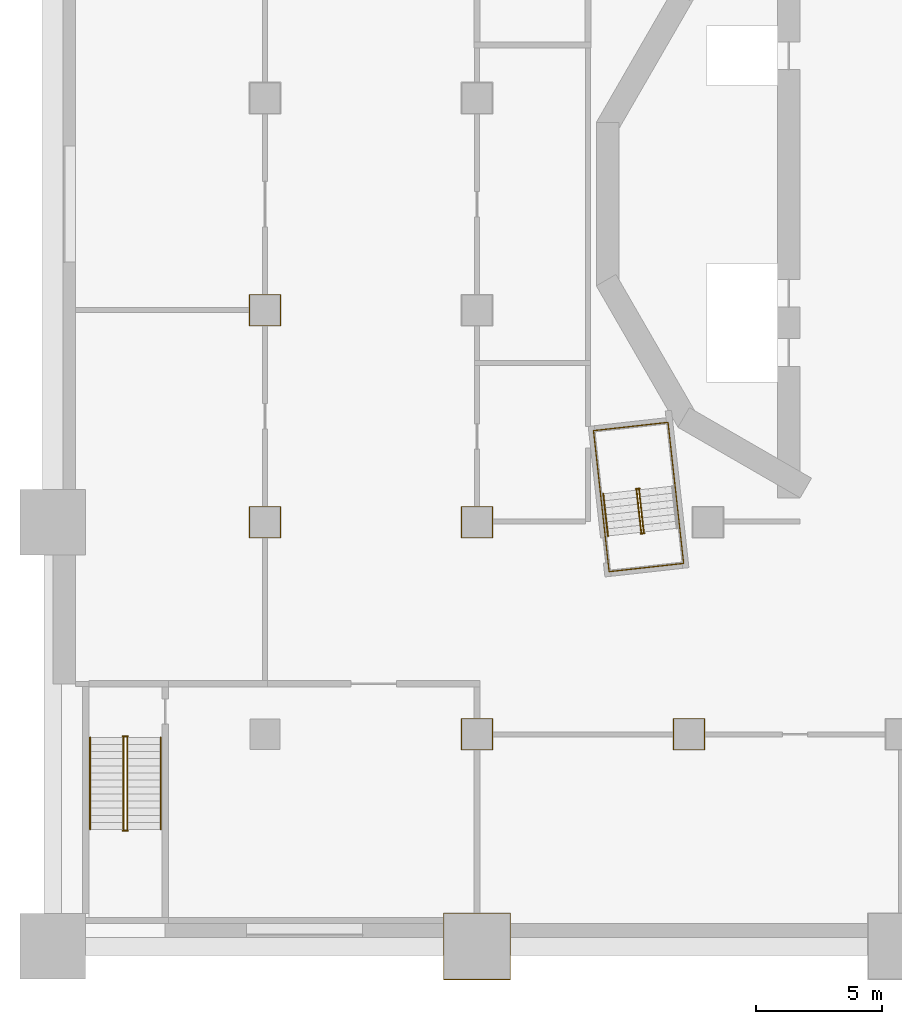
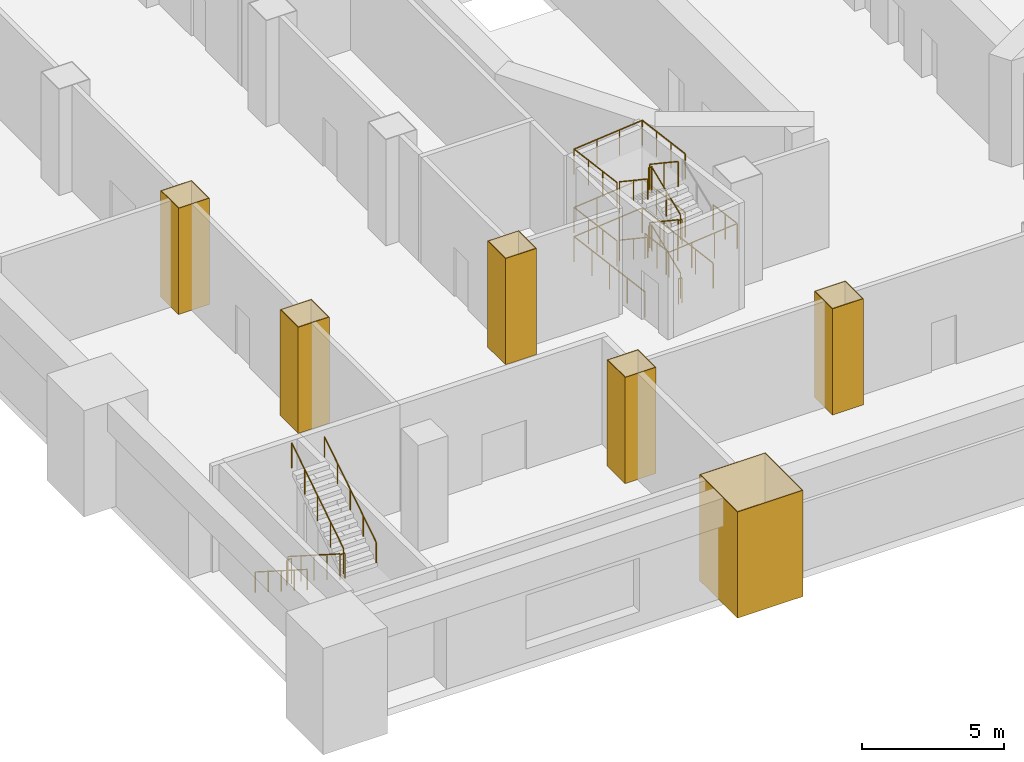
# One storey, part 9 of 17: 17 railings, 6 coverings.
"""IFC4 building model written with IfcOpenShell, lengths in metres."""

from ifc_helpers import new_model, si_unit, direction, frame, origin, origin_2d, place, context, subcontext, project, spatial, polyline, circle, outline, extrude, material, layer, layer_set, type_object, element, save


model = new_model("IFC4")

# Units and contexts
model_context = context("Model", 3, precision=1e-05, world=origin(), true_north=direction((0.0, 1.0)))
body_context = subcontext(model_context, "Body", "Model", "MODEL_VIEW")
ifc_project = project(units=[si_unit("LENGTHUNIT", "METRE"), si_unit("AREAUNIT", "SQUARE_METRE"), si_unit("VOLUMEUNIT", "CUBIC_METRE"), si_unit("PLANEANGLEUNIT", "RADIAN"), si_unit("MASSUNIT", "GRAM", prefix="KILO")], contexts=[model_context])

# Site, building, storey
site_placement = place(None, origin())
site = spatial("IfcSite", under=ifc_project, at=site_placement, CompositionType="ELEMENT")
building_placement = place(site_placement, origin())
building = spatial("IfcBuilding", under=site, at=building_placement, Name="Cantera Rosa Tower", CompositionType="ELEMENT")
storey_placement = place(building_placement, frame((0.0, 0.0, 32.0)))
storey = spatial("IfcBuildingStorey", under=building, at=storey_placement, Name="L05", CompositionType="ELEMENT", Elevation=32.0)

# Coverings
ifc_material_1 = material(Name="Plaster")
ifc_layer = layer(ifc_material_1, 0.030029296875)
ifc_layer_set = layer_set([ifc_layer], Name="Column casing 30")
covering_type = type_object("IfcCoveringType", Name="Column casing 30", PredefinedType="CLADDING", material=ifc_layer_set)
covering_1_placement = place(storey_placement, origin())
element("IfcCovering", 1, at=covering_1_placement, inside=storey, type_object=covering_type, Name="Column casing L05-001", PredefinedType="CLADDING", context=body_context, shape_type="SweptSolid", body=[
    extrude(outline(polyline([(-25.830078125, -13.22998046875), (-24.570068359375, -13.22998046875), (-24.570068359375, -11.969970703125), (-25.830078125, -11.969970703125), (-25.830078125, -13.22998046875)]), holes=[polyline([(-24.60009765625, -12.0), (-25.800048828125, -12.0), (-25.800048828125, -13.199951171875), (-24.60009765625, -13.199951171875), (-24.60009765625, -12.0)])]), origin(), (0.0, 0.0, 1.0), 4.550048828125),
])
covering_2_placement = place(storey_placement, origin())
element("IfcCovering", 2, at=covering_2_placement, inside=storey, type_object=covering_type, Name="Column casing L05-002", PredefinedType="CLADDING", context=body_context, shape_type="SweptSolid", body=[
    extrude(outline(polyline([(-25.830078125, -4.830078125), (-24.570068359375, -4.830078125), (-24.570068359375, -3.570068359375), (-25.830078125, -3.570068359375), (-25.830078125, -4.830078125)]), holes=[polyline([(-24.60009765625, -3.60009765625), (-25.800048828125, -3.60009765625), (-25.800048828125, -4.800048828125), (-24.60009765625, -4.800048828125), (-24.60009765625, -3.60009765625)])]), origin(), (0.0, 0.0, 1.0), 4.550048828125),
])
covering_3_placement = place(storey_placement, origin())
element("IfcCovering", 3, at=covering_3_placement, inside=storey, type_object=covering_type, Name="Column casing L05-005", PredefinedType="CLADDING", context=body_context, shape_type="SweptSolid", body=[
    extrude(outline(polyline([(-18.1298828125, -30.72998046875), (-15.469970703125, -30.72998046875), (-15.469970703125, -28.070068359375), (-18.1298828125, -28.070068359375), (-18.1298828125, -30.72998046875)]), holes=[polyline([(-15.5, -28.10009765625), (-18.10009765625, -28.10009765625), (-18.10009765625, -30.699951171875), (-15.5, -30.699951171875), (-15.5, -28.10009765625)])]), origin(), (0.0, 0.0, 1.0), 4.550048828125),
])
covering_4_placement = place(storey_placement, origin())
element("IfcCovering", 4, at=covering_4_placement, inside=storey, type_object=covering_type, Name="Column casing L05-006", PredefinedType="CLADDING", context=body_context, shape_type="SweptSolid", body=[
    extrude(outline(polyline([(-17.429931640625, -21.6298828125), (-16.169921875, -21.6298828125), (-16.169921875, -20.3701171875), (-17.429931640625, -20.3701171875), (-17.429931640625, -21.6298828125)]), holes=[polyline([(-16.199951171875, -20.39990234375), (-17.39990234375, -20.39990234375), (-17.39990234375, -21.60009765625), (-16.199951171875, -21.60009765625), (-16.199951171875, -20.39990234375)])]), origin(), (0.0, 0.0, 1.0), 4.550048828125),
])
covering_5_placement = place(storey_placement, origin())
element("IfcCovering", 5, at=covering_5_placement, inside=storey, type_object=covering_type, Name="Column casing L05-007", PredefinedType="CLADDING", context=body_context, shape_type="SweptSolid", body=[
    extrude(outline(polyline([(-17.429931640625, -13.22998046875), (-16.169921875, -13.22998046875), (-16.169921875, -11.969970703125), (-17.429931640625, -11.969970703125), (-17.429931640625, -13.22998046875)]), holes=[polyline([(-16.199951171875, -12.0), (-17.39990234375, -12.0), (-17.39990234375, -13.199951171875), (-16.199951171875, -13.199951171875), (-16.199951171875, -12.0)])]), origin(), (0.0, 0.0, 1.0), 4.550048828125),
])
covering_6_placement = place(storey_placement, origin())
element("IfcCovering", 6, at=covering_6_placement, inside=storey, type_object=covering_type, Name="Column casing L05-013", PredefinedType="CLADDING", context=body_context, shape_type="SweptSolid", body=[
    extrude(outline(polyline([(-9.030029296875, -21.6298828125), (-7.77001953125, -21.6298828125), (-7.77001953125, -20.3701171875), (-9.030029296875, -20.3701171875), (-9.030029296875, -21.6298828125)]), holes=[polyline([(-7.800048828125, -20.39990234375), (-9.0, -20.39990234375), (-9.0, -21.60009765625), (-7.800048828125, -21.60009765625), (-7.800048828125, -20.39990234375)])]), origin(), (0.0, 0.0, 1.0), 4.550048828125),
])

# Railings
ifc_material_2 = material(Name="Steel S355J2 (EN 10025-2)", Category="steel")
railing_type_1 = type_object("IfcRailingType", Name="STAIR GUARD 1100", PredefinedType="GUARDRAIL", material=ifc_material_2)
railing_1_placement = place(storey_placement, frame((-10.19677734375, -12.986083984375, 0.178466796875)))
element("IfcRailing", 7, at=railing_1_placement, inside=storey, type_object=railing_type_1, Name="L05 ST-13 stair guard 1", PredefinedType="GUARDRAIL", context=body_context, shape_type="SweptSolid", body=[
    extrude(circle(Radius=0.02392578125, at=origin_2d()), frame((0.0, 0.0, 1.076171875), z_axis=(-0.092996744609, 0.837950904326, 0.537763784046), x_axis=(-0.993897904819, -0.110303920128, 0.0)), (0.0, 0.0, 1.0), 1.99267578125),
    extrude(circle(Radius=0.02392578125, at=origin_2d()), frame((-0.185302734375, 1.669677734375, 2.1474609375), z_axis=(0.358689472963, 0.933456941688, 0.0), x_axis=(-0.933456941688, 0.358689472963, 0.0)), (0.0, 0.0, 1.0), 0.056396484375),
    extrude(circle(Radius=0.02392578125, at=origin_2d()), frame((-0.1650390625, 1.722412109375, 2.1474609375), z_axis=(-0.993863881828, -0.110610055588, 0.0), x_axis=(0.110610055588, -0.993863881828, 0.0)), (0.0, 0.0, 1.0), 0.150146484375),
    extrude(circle(Radius=0.02099609375, at=origin_2d()), origin(), (0.0, 0.0, 1.0), 1.052001953125),
    extrude(circle(Radius=0.02099609375, at=origin_2d()), frame((-0.0927734375, 0.8349609375, 0.53564453125)), (0.0, 0.0, 1.0), 1.052001953125),
    extrude(circle(Radius=0.02099609375, at=origin_2d()), frame((-0.185302734375, 1.669677734375, 1.071533203125)), (0.0, 0.0, 1.0), 1.052001953125),
    extrude(circle(Radius=0.02099609375, at=origin_2d()), frame((-0.1650390625, 1.722412109375, 1.071533203125)), (0.0, 0.0, 1.0), 1.052001953125),
    extrude(circle(Radius=0.02099609375, at=origin_2d()), frame((-0.314208984375, 1.705810546875, 1.071533203125)), (0.0, 0.0, 1.0), 1.052001953125),
])
railing_2_placement = place(storey_placement, frame((-10.4794921875, -11.3271484375, 1.428466796875)))
element("IfcRailing", 8, at=railing_2_placement, inside=storey, type_object=railing_type_1, Name="L05 ST-13 stair guard 2", PredefinedType="GUARDRAIL", context=body_context, shape_type="SweptSolid", body=[
    extrude(circle(Radius=0.02392578125, at=origin_2d()), frame((0.0, 0.0, 1.076171875), z_axis=(0.092996744609, -0.837950904326, 0.537763784046), x_axis=(0.993897904819, 0.110303920128, 0.0)), (0.0, 0.0, 1.0), 1.99267578125),
    extrude(circle(Radius=0.02392578125, at=origin_2d()), frame((0.185302734375, -1.669677734375, 2.1474609375), z_axis=(-0.363909256389, -0.931434406233, 0.0), x_axis=(0.931434406233, -0.363909256389, 0.0)), (0.0, 0.0, 1.0), 0.056396484375),
    extrude(circle(Radius=0.02392578125, at=origin_2d()), frame((0.164794921875, -1.72216796875, 2.1474609375), z_axis=(0.994041430915, 0.1090029065, 0.0), x_axis=(-0.1090029065, 0.994041430915, 0.0)), (0.0, 0.0, 1.0), 0.150146484375),
    extrude(circle(Radius=0.02099609375, at=origin_2d()), origin(), (0.0, 0.0, 1.0), 1.052001953125),
    extrude(circle(Radius=0.02099609375, at=origin_2d()), frame((0.0927734375, -0.8349609375, 0.53564453125)), (0.0, 0.0, 1.0), 1.052001953125),
    extrude(circle(Radius=0.02099609375, at=origin_2d()), frame((0.185302734375, -1.669677734375, 1.071533203125)), (0.0, 0.0, 1.0), 1.052001953125),
    extrude(circle(Radius=0.02099609375, at=origin_2d()), frame((0.164794921875, -1.72216796875, 1.071533203125)), (0.0, 0.0, 1.0), 1.052001953125),
    extrude(circle(Radius=0.02099609375, at=origin_2d()), frame((0.31396484375, -1.705810546875, 1.071533203125)), (0.0, 0.0, 1.0), 1.052001953125),
])
railing_3_placement = place(storey_placement, frame((-10.19677734375, -12.986083984375, 2.678466796875)))
element("IfcRailing", 9, at=railing_3_placement, inside=storey, type_object=railing_type_1, Name="L05 ST-13 stair guard 3", PredefinedType="GUARDRAIL", context=body_context, shape_type="SweptSolid", body=[
    extrude(circle(Radius=0.02392578125, at=origin_2d()), frame((0.0, 0.0, 1.076171875), z_axis=(-0.092996744609, 0.837950904326, 0.537763784046), x_axis=(-0.993897904819, -0.110303920128, 0.0)), (0.0, 0.0, 1.0), 1.99267578125),
    extrude(circle(Radius=0.02392578125, at=origin_2d()), frame((-0.185302734375, 1.669677734375, 2.1474609375), z_axis=(0.358689472963, 0.933456941688, 0.0), x_axis=(-0.933456941688, 0.358689472963, 0.0)), (0.0, 0.0, 1.0), 0.056396484375),
    extrude(circle(Radius=0.02392578125, at=origin_2d()), frame((-0.1650390625, 1.722412109375, 2.1474609375), z_axis=(-0.993863881828, -0.110610055588, 0.0), x_axis=(0.110610055588, -0.993863881828, 0.0)), (0.0, 0.0, 1.0), 0.150146484375),
    extrude(circle(Radius=0.02099609375, at=origin_2d()), origin(), (0.0, 0.0, 1.0), 1.052001953125),
    extrude(circle(Radius=0.02099609375, at=origin_2d()), frame((-0.0927734375, 0.8349609375, 0.53564453125)), (0.0, 0.0, 1.0), 1.052001953125),
    extrude(circle(Radius=0.02099609375, at=origin_2d()), frame((-0.185302734375, 1.669677734375, 1.071533203125)), (0.0, 0.0, 1.0), 1.052001953125),
    extrude(circle(Radius=0.02099609375, at=origin_2d()), frame((-0.1650390625, 1.722412109375, 1.071533203125)), (0.0, 0.0, 1.0), 1.052001953125),
    extrude(circle(Radius=0.02099609375, at=origin_2d()), frame((-0.314208984375, 1.705810546875, 1.071533203125)), (0.0, 0.0, 1.0), 1.052001953125),
])
railing_4_placement = place(storey_placement, frame((-10.4794921875, -11.3271484375, 3.928466796875)))
element("IfcRailing", 10, at=railing_4_placement, inside=storey, type_object=railing_type_1, Name="L05 ST-13 stair guard 4", PredefinedType="GUARDRAIL", context=body_context, shape_type="SweptSolid", body=[
    extrude(circle(Radius=0.02392578125, at=origin_2d()), frame((0.0, 0.0, 1.076171875), z_axis=(0.092996744609, -0.837950904326, 0.537763784046), x_axis=(0.993897904819, 0.110303920128, 0.0)), (0.0, 0.0, 1.0), 1.99267578125),
    extrude(circle(Radius=0.02099609375, at=origin_2d()), origin(), (0.0, 0.0, 1.0), 1.052001953125),
    extrude(circle(Radius=0.02099609375, at=origin_2d()), frame((0.0927734375, -0.8349609375, 0.53564453125)), (0.0, 0.0, 1.0), 1.052001953125),
    extrude(circle(Radius=0.02099609375, at=origin_2d()), frame((0.185302734375, -1.669677734375, 1.071533203125)), (0.0, 0.0, 1.0), 1.052001953125),
])
railing_5_placement = place(storey_placement, frame((-10.16552734375, -13.032958984375, 0.0)))
element("IfcRailing", 11, at=railing_5_placement, inside=storey, type_object=railing_type_1, Name="L05 ST-13 stair guard 5", PredefinedType="GUARDRAIL", context=body_context, shape_type="SweptSolid", body=[
    extrude(circle(Radius=0.02392578125, at=origin_2d()), frame((0.0, 0.0, 1.076171875), z_axis=(-0.994041430915, -0.1090029065, 0.0), x_axis=(0.1090029065, -0.994041430915, 0.0)), (0.0, 0.0, 1.0), 0.150146484375),
    extrude(circle(Radius=0.02099609375, at=origin_2d()), origin(), (0.0, 0.0, 1.0), 1.052001953125),
    extrude(circle(Radius=0.02099609375, at=origin_2d()), frame((-0.149169921875, -0.016357421875, 0.0)), (0.0, 0.0, 1.0), 1.052001953125),
])
railing_6_placement = place(storey_placement, frame((-8.77099609375, -12.815673828125, 0.0)))
element("IfcRailing", 12, at=railing_6_placement, inside=storey, type_object=railing_type_1, Name="L05 ST-13 stair guard 6", PredefinedType="GUARDRAIL", context=body_context, shape_type="SweptSolid", body=[
    extrude(circle(Radius=0.02392578125, at=origin_2d()), frame((0.0, 0.0, 1.076171875), z_axis=(-0.110323013767, 0.9938957856, 0.0), x_axis=(-0.9938957856, -0.110323013767, 0.0)), (0.0, 0.0, 1.0), 4.197998046875),
    extrude(circle(Radius=0.02392578125, at=origin_2d()), frame((-0.463134765625, 4.17236328125, 1.076171875), z_axis=(-0.993896759678, -0.110314237986, 0.0), x_axis=(0.110314237986, -0.993896759678, 0.0)), (0.0, 0.0, 1.0), 2.969970703125),
    extrude(circle(Radius=0.02392578125, at=origin_2d()), frame((-3.4150390625, 3.8447265625, 1.076171875), z_axis=(0.110323013767, -0.9938957856, 0.0), x_axis=(0.9938957856, 0.110323013767, 0.0)), (0.0, 0.0, 1.0), 4.197998046875),
    extrude(circle(Radius=0.02099609375, at=origin_2d()), origin(), (0.0, 0.0, 1.0), 1.052001953125),
    extrude(circle(Radius=0.02099609375, at=origin_2d()), frame((-0.11572265625, 1.04296875, 0.0)), (0.0, 0.0, 1.0), 1.052001953125),
    extrude(circle(Radius=0.02099609375, at=origin_2d()), frame((-0.2314453125, 2.086181640625, 0.0)), (0.0, 0.0, 1.0), 1.052001953125),
    extrude(circle(Radius=0.02099609375, at=origin_2d()), frame((-0.347412109375, 3.12939453125, 0.0)), (0.0, 0.0, 1.0), 1.052001953125),
    extrude(circle(Radius=0.02099609375, at=origin_2d()), frame((-0.463134765625, 4.17236328125, 0.0)), (0.0, 0.0, 1.0), 1.052001953125),
    extrude(circle(Radius=0.02099609375, at=origin_2d()), frame((-1.447021484375, 4.063232421875, 0.0)), (0.0, 0.0, 1.0), 1.052001953125),
    extrude(circle(Radius=0.02099609375, at=origin_2d()), frame((-2.43115234375, 3.953857421875, 0.0)), (0.0, 0.0, 1.0), 1.052001953125),
    extrude(circle(Radius=0.02099609375, at=origin_2d()), frame((-3.4150390625, 3.8447265625, 0.0)), (0.0, 0.0, 1.0), 1.052001953125),
    extrude(circle(Radius=0.02099609375, at=origin_2d()), frame((-3.29931640625, 2.8017578125, 0.0)), (0.0, 0.0, 1.0), 1.052001953125),
    extrude(circle(Radius=0.02099609375, at=origin_2d()), frame((-3.18359375, 1.758544921875, 0.0)), (0.0, 0.0, 1.0), 1.052001953125),
    extrude(circle(Radius=0.02099609375, at=origin_2d()), frame((-3.067626953125, 0.71533203125, 0.0)), (0.0, 0.0, 1.0), 1.052001953125),
    extrude(circle(Radius=0.02099609375, at=origin_2d()), frame((-2.951904296875, -0.32763671875, 0.0)), (0.0, 0.0, 1.0), 1.052001953125),
])
railing_7_placement = place(storey_placement, frame((-8.95361328125, -11.169921875, 1.25)))
element("IfcRailing", 13, at=railing_7_placement, inside=storey, type_object=railing_type_1, Name="L05 ST-13 stair guard 7", PredefinedType="GUARDRAIL", context=body_context, shape_type="SweptSolid", body=[
    extrude(circle(Radius=0.02392578125, at=origin_2d()), frame((0.0, 0.0, 1.076171875), z_axis=(-0.110347199982, 0.993893100618, 0.0), x_axis=(-0.993893100618, -0.110347199982, 0.0)), (0.0, 0.0, 1.0), 2.542236328125),
    extrude(circle(Radius=0.02392578125, at=origin_2d()), frame((-0.280517578125, 2.526611328125, 1.076171875), z_axis=(-0.993896759678, -0.110314237986, 0.0), x_axis=(0.110314237986, -0.993896759678, 0.0)), (0.0, 0.0, 1.0), 2.969970703125),
    extrude(circle(Radius=0.02392578125, at=origin_2d()), frame((-3.232421875, 2.198974609375, 1.076171875), z_axis=(0.110347199982, -0.993893100618, 0.0), x_axis=(0.993893100618, 0.110347199982, 0.0)), (0.0, 0.0, 1.0), 2.542236328125),
    extrude(circle(Radius=0.02099609375, at=origin_2d()), origin(), (0.0, 0.0, 1.0), 1.052001953125),
    extrude(circle(Radius=0.02099609375, at=origin_2d()), frame((-0.093505859375, 0.84228515625, 0.0)), (0.0, 0.0, 1.0), 1.052001953125),
    extrude(circle(Radius=0.02099609375, at=origin_2d()), frame((-0.18701171875, 1.684326171875, 0.0)), (0.0, 0.0, 1.0), 1.052001953125),
    extrude(circle(Radius=0.02099609375, at=origin_2d()), frame((-0.280517578125, 2.526611328125, 0.0)), (0.0, 0.0, 1.0), 1.052001953125),
    extrude(circle(Radius=0.02099609375, at=origin_2d()), frame((-1.264404296875, 2.41748046875, 0.0)), (0.0, 0.0, 1.0), 1.052001953125),
    extrude(circle(Radius=0.02099609375, at=origin_2d()), frame((-2.24853515625, 2.30810546875, 0.0)), (0.0, 0.0, 1.0), 1.052001953125),
    extrude(circle(Radius=0.02099609375, at=origin_2d()), frame((-3.232421875, 2.198974609375, 0.0)), (0.0, 0.0, 1.0), 1.052001953125),
    extrude(circle(Radius=0.02099609375, at=origin_2d()), frame((-3.138916015625, 1.356689453125, 0.0)), (0.0, 0.0, 1.0), 1.052001953125),
    extrude(circle(Radius=0.02099609375, at=origin_2d()), frame((-3.04541015625, 0.5146484375, 0.0)), (0.0, 0.0, 1.0), 1.052001953125),
    extrude(circle(Radius=0.02099609375, at=origin_2d()), frame((-2.951904296875, -0.32763671875, 0.0)), (0.0, 0.0, 1.0), 1.052001953125),
])
railing_8_placement = place(storey_placement, frame((-8.77099609375, -12.815673828125, 2.5)))
element("IfcRailing", 14, at=railing_8_placement, inside=storey, type_object=railing_type_1, Name="L05 ST-13 stair guard 8", PredefinedType="GUARDRAIL", context=body_context, shape_type="SweptSolid", body=[
    extrude(circle(Radius=0.02392578125, at=origin_2d()), frame((0.0, 0.0, 1.076171875), z_axis=(0.110393838913, -0.993887921413, 0.0), x_axis=(0.993887921413, 0.110393838913, 0.0)), (0.0, 0.0, 1.0), 1.422119140625),
    extrude(circle(Radius=0.02392578125, at=origin_2d()), frame((0.156982421875, -1.413330078125, 1.076171875), z_axis=(-0.993896759678, -0.110314237986, 0.0), x_axis=(0.110314237986, -0.993896759678, 0.0)), (0.0, 0.0, 1.0), 2.969970703125),
    extrude(circle(Radius=0.02392578125, at=origin_2d()), frame((-2.794921875, -1.740966796875, 1.076171875), z_axis=(-0.110393838913, 0.993887921413, 0.0), x_axis=(-0.993887921413, -0.110393838913, 0.0)), (0.0, 0.0, 1.0), 1.422119140625),
    extrude(circle(Radius=0.02099609375, at=origin_2d()), origin(), (0.0, 0.0, 1.0), 1.052001953125),
    extrude(circle(Radius=0.02099609375, at=origin_2d()), frame((0.07861328125, -0.70654296875, 0.0)), (0.0, 0.0, 1.0), 1.052001953125),
    extrude(circle(Radius=0.02099609375, at=origin_2d()), frame((0.156982421875, -1.413330078125, 0.0)), (0.0, 0.0, 1.0), 1.052001953125),
    extrude(circle(Radius=0.02099609375, at=origin_2d()), frame((-0.826904296875, -1.5224609375, 0.0)), (0.0, 0.0, 1.0), 1.052001953125),
    extrude(circle(Radius=0.02099609375, at=origin_2d()), frame((-1.81103515625, -1.6318359375, 0.0)), (0.0, 0.0, 1.0), 1.052001953125),
    extrude(circle(Radius=0.02099609375, at=origin_2d()), frame((-2.794921875, -1.740966796875, 0.0)), (0.0, 0.0, 1.0), 1.052001953125),
    extrude(circle(Radius=0.02099609375, at=origin_2d()), frame((-2.87353515625, -1.0341796875, 0.0)), (0.0, 0.0, 1.0), 1.052001953125),
    extrude(circle(Radius=0.02099609375, at=origin_2d()), frame((-2.951904296875, -0.32763671875, 0.0)), (0.0, 0.0, 1.0), 1.052001953125),
])
railing_9_placement = place(storey_placement, frame((-8.95361328125, -11.169921875, 3.75)))
element("IfcRailing", 15, at=railing_9_placement, inside=storey, type_object=railing_type_1, Name="L05 ST-13 stair guard 9", PredefinedType="GUARDRAIL", context=body_context, shape_type="SweptSolid", body=[
    extrude(circle(Radius=0.02392578125, at=origin_2d()), frame((0.0, 0.0, 1.076171875), z_axis=(-0.110347199982, 0.993893100618, 0.0), x_axis=(-0.993893100618, -0.110347199982, 0.0)), (0.0, 0.0, 1.0), 2.542236328125),
    extrude(circle(Radius=0.02392578125, at=origin_2d()), frame((-0.280517578125, 2.526611328125, 1.076171875), z_axis=(-0.993896759678, -0.110314237986, 0.0), x_axis=(0.110314237986, -0.993896759678, 0.0)), (0.0, 0.0, 1.0), 2.969970703125),
    extrude(circle(Radius=0.02392578125, at=origin_2d()), frame((-3.232421875, 2.198974609375, 1.076171875), z_axis=(0.110347199982, -0.993893100618, 0.0), x_axis=(0.993893100618, 0.110347199982, 0.0)), (0.0, 0.0, 1.0), 2.542236328125),
    extrude(circle(Radius=0.02099609375, at=origin_2d()), origin(), (0.0, 0.0, 1.0), 1.052001953125),
    extrude(circle(Radius=0.02099609375, at=origin_2d()), frame((-0.093505859375, 0.84228515625, 0.0)), (0.0, 0.0, 1.0), 1.052001953125),
    extrude(circle(Radius=0.02099609375, at=origin_2d()), frame((-0.18701171875, 1.684326171875, 0.0)), (0.0, 0.0, 1.0), 1.052001953125),
    extrude(circle(Radius=0.02099609375, at=origin_2d()), frame((-0.280517578125, 2.526611328125, 0.0)), (0.0, 0.0, 1.0), 1.052001953125),
    extrude(circle(Radius=0.02099609375, at=origin_2d()), frame((-1.264404296875, 2.41748046875, 0.0)), (0.0, 0.0, 1.0), 1.052001953125),
    extrude(circle(Radius=0.02099609375, at=origin_2d()), frame((-2.24853515625, 2.30810546875, 0.0)), (0.0, 0.0, 1.0), 1.052001953125),
    extrude(circle(Radius=0.02099609375, at=origin_2d()), frame((-3.232421875, 2.198974609375, 0.0)), (0.0, 0.0, 1.0), 1.052001953125),
    extrude(circle(Radius=0.02099609375, at=origin_2d()), frame((-3.138916015625, 1.356689453125, 0.0)), (0.0, 0.0, 1.0), 1.052001953125),
    extrude(circle(Radius=0.02099609375, at=origin_2d()), frame((-3.04541015625, 0.5146484375, 0.0)), (0.0, 0.0, 1.0), 1.052001953125),
    extrude(circle(Radius=0.02099609375, at=origin_2d()), frame((-2.951904296875, -0.32763671875, 0.0)), (0.0, 0.0, 1.0), 1.052001953125),
])
railing_10_placement = place(storey_placement, frame((-30.799072265625, -21.125, 0.178466796875)))
element("IfcRailing", 16, at=railing_10_placement, inside=storey, type_object=railing_type_1, Name="L05 ST-SW stair guard 1", PredefinedType="GUARDRAIL", context=body_context, shape_type="SweptSolid", body=[
    extrude(circle(Radius=0.02392578125, at=origin_2d()), frame((0.0, 0.0, 1.076171875), z_axis=(0.0, -0.843111507901, 0.53773877045), x_axis=(1.0, 0.0, 0.0)), (0.0, 0.0, 1.0), 4.317138671875),
    extrude(circle(Radius=0.02099609375, at=origin_2d()), origin(), (0.0, 0.0, 1.0), 1.052001953125),
    extrude(circle(Radius=0.02099609375, at=origin_2d()), frame((0.0, -0.909912109375, 0.580322265625)), (0.0, 0.0, 1.0), 1.052001953125),
    extrude(circle(Radius=0.02099609375, at=origin_2d()), frame((0.0, -1.81982421875, 1.16064453125)), (0.0, 0.0, 1.0), 1.052001953125),
    extrude(circle(Radius=0.02099609375, at=origin_2d()), frame((0.0, -2.72998046875, 1.7412109375)), (0.0, 0.0, 1.0), 1.052001953125),
    extrude(circle(Radius=0.02099609375, at=origin_2d()), frame((0.0, -3.639892578125, 2.321533203125)), (0.0, 0.0, 1.0), 1.052001953125),
])
railing_11_placement = place(storey_placement, frame((-30.824951171875, -24.81494140625, 2.5)))
element("IfcRailing", 17, at=railing_11_placement, inside=storey, type_object=railing_type_1, Name="L05 ST-SW stair guard 2", PredefinedType="GUARDRAIL", context=body_context, shape_type="SweptSolid", body=[
    extrude(circle(Radius=0.02392578125, at=origin_2d()), frame((0.0, 0.0, 1.076171875), z_axis=(1.0, 0.0, 0.0), x_axis=(0.0, 1.0, 0.0)), (0.0, 0.0, 1.0), 0.199951171875),
    extrude(circle(Radius=0.02099609375, at=origin_2d()), origin(), (0.0, 0.0, 1.0), 1.052001953125),
    extrude(circle(Radius=0.02099609375, at=origin_2d()), frame((0.199951171875, 0.0, 0.0)), (0.0, 0.0, 1.0), 1.052001953125),
])
railing_12_placement = place(storey_placement, frame((-30.65087890625, -24.764892578125, 2.678466796875)))
element("IfcRailing", 18, at=railing_12_placement, inside=storey, type_object=railing_type_1, Name="L05 ST-SW stair guard 3", PredefinedType="GUARDRAIL", context=body_context, shape_type="SweptSolid", body=[
    extrude(circle(Radius=0.02392578125, at=origin_2d()), frame((0.0, 0.0, 1.076171875), z_axis=(0.0, 0.843111507901, 0.53773877045), x_axis=(-1.0, 0.0, 0.0)), (0.0, 0.0, 1.0), 4.317138671875),
    extrude(circle(Radius=0.02099609375, at=origin_2d()), origin(), (0.0, 0.0, 1.0), 1.052001953125),
    extrude(circle(Radius=0.02099609375, at=origin_2d()), frame((0.0, 0.909912109375, 0.580322265625)), (0.0, 0.0, 1.0), 1.052001953125),
    extrude(circle(Radius=0.02099609375, at=origin_2d()), frame((0.0, 1.81982421875, 1.16064453125)), (0.0, 0.0, 1.0), 1.052001953125),
    extrude(circle(Radius=0.02099609375, at=origin_2d()), frame((0.0, 2.72998046875, 1.7412109375)), (0.0, 0.0, 1.0), 1.052001953125),
    extrude(circle(Radius=0.02099609375, at=origin_2d()), frame((0.0, 3.639892578125, 2.321533203125)), (0.0, 0.0, 1.0), 1.052001953125),
])
railing_13_placement = place(storey_placement, frame((-30.824951171875, -21.074951171875, 0.0)))
element("IfcRailing", 19, at=railing_13_placement, inside=storey, type_object=railing_type_1, Name="L05 ST-SW stair guard 4", PredefinedType="GUARDRAIL", context=body_context, shape_type="SweptSolid", body=[
    extrude(circle(Radius=0.02392578125, at=origin_2d()), frame((0.0, 0.0, 1.076171875), z_axis=(1.0, 0.0, 0.0), x_axis=(0.0, 1.0, 0.0)), (0.0, 0.0, 1.0), 0.199951171875),
    extrude(circle(Radius=0.02099609375, at=origin_2d()), origin(), (0.0, 0.0, 1.0), 1.052001953125),
    extrude(circle(Radius=0.02099609375, at=origin_2d()), frame((0.199951171875, 0.0, 0.0)), (0.0, 0.0, 1.0), 1.052001953125),
])
ifc_material_3 = material(Name="Steel S355J2 (EN 10025-2)", Category="steel")
railing_type_2 = type_object("IfcRailingType", Name="STAIR HANDRAIL 900", PredefinedType="HANDRAIL", material=ifc_material_3)
for number, where, name in (
    (20, (-11.797607421875, -11.473388671875, 1.428466796875), "L05 ST-13 stair handrail 2"),
    (21, (-11.797607421875, -11.473388671875, 3.928466796875), "L05 ST-13 stair handrail 4"),
):
    element("IfcRailing", number, at=place(storey_placement, frame(where)), inside=storey, type_object=railing_type_2, Name=name, PredefinedType="HANDRAIL", context=body_context, shape_type="SweptSolid", body=[
        extrude(circle(Radius=0.02392578125, at=origin_2d()), frame((0.0, 0.0, 0.8759765625), z_axis=(0.09311820824, -0.837941350202, 0.537757652586), x_axis=(0.993881962282, 0.110447476434, 0.0)), (0.0, 0.0, 1.0), 1.99267578125),
        extrude(circle(Radius=0.02099609375, at=origin_2d()), origin(), (0.0, 0.0, 1.0), 0.851806640625),
        extrude(circle(Radius=0.02099609375, at=origin_2d()), frame((0.0927734375, -0.8349609375, 0.53564453125)), (0.0, 0.0, 1.0), 0.851806640625),
        extrude(circle(Radius=0.02099609375, at=origin_2d()), frame((0.185546875, -1.669677734375, 1.071533203125)), (0.0, 0.0, 1.0), 0.851806640625),
    ])
railing_14_placement = place(storey_placement, frame((-32.125, -21.125, 0.178466796875)))
element("IfcRailing", 22, at=railing_14_placement, inside=storey, type_object=railing_type_2, Name="L05 ST-SW stair handrail 1", PredefinedType="HANDRAIL", context=body_context, shape_type="SweptSolid", body=[
    extrude(circle(Radius=0.02392578125, at=origin_2d()), frame((0.0, 0.0, 0.8759765625), z_axis=(0.0, -0.843111507901, 0.53773877045), x_axis=(1.0, 0.0, 0.0)), (0.0, 0.0, 1.0), 4.317138671875),
    extrude(circle(Radius=0.02099609375, at=origin_2d()), origin(), (0.0, 0.0, 1.0), 0.851806640625),
    extrude(circle(Radius=0.02099609375, at=origin_2d()), frame((0.0, -0.909912109375, 0.580322265625)), (0.0, 0.0, 1.0), 0.851806640625),
    extrude(circle(Radius=0.02099609375, at=origin_2d()), frame((0.0, -1.81982421875, 1.16064453125)), (0.0, 0.0, 1.0), 0.851806640625),
    extrude(circle(Radius=0.02099609375, at=origin_2d()), frame((0.0, -2.72998046875, 1.7412109375)), (0.0, 0.0, 1.0), 0.851806640625),
    extrude(circle(Radius=0.02099609375, at=origin_2d()), frame((0.0, -3.639892578125, 2.321533203125)), (0.0, 0.0, 1.0), 0.851806640625),
])
railing_15_placement = place(storey_placement, frame((-29.324951171875, -24.764892578125, 2.678466796875)))
element("IfcRailing", 23, at=railing_15_placement, inside=storey, type_object=railing_type_2, Name="L05 ST-SW stair handrail 2", PredefinedType="HANDRAIL", context=body_context, shape_type="SweptSolid", body=[
    extrude(circle(Radius=0.02392578125, at=origin_2d()), frame((0.0, 0.0, 0.8759765625), z_axis=(0.0, 0.843111507901, 0.53773877045), x_axis=(-1.0, 0.0, 0.0)), (0.0, 0.0, 1.0), 4.317138671875),
    extrude(circle(Radius=0.02099609375, at=origin_2d()), origin(), (0.0, 0.0, 1.0), 0.851806640625),
    extrude(circle(Radius=0.02099609375, at=origin_2d()), frame((0.0, 0.909912109375, 0.580322265625)), (0.0, 0.0, 1.0), 0.851806640625),
    extrude(circle(Radius=0.02099609375, at=origin_2d()), frame((0.0, 1.81982421875, 1.16064453125)), (0.0, 0.0, 1.0), 0.851806640625),
    extrude(circle(Radius=0.02099609375, at=origin_2d()), frame((0.0, 2.72998046875, 1.7412109375)), (0.0, 0.0, 1.0), 0.851806640625),
    extrude(circle(Radius=0.02099609375, at=origin_2d()), frame((0.0, 3.639892578125, 2.321533203125)), (0.0, 0.0, 1.0), 0.851806640625),
])

save(model, "model.ifc")
